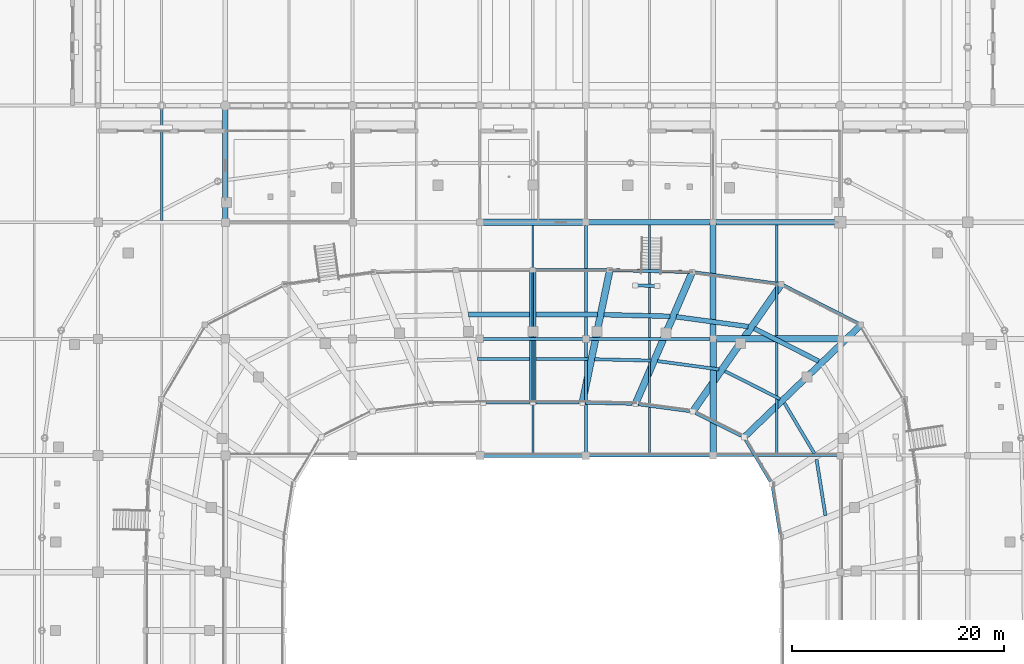
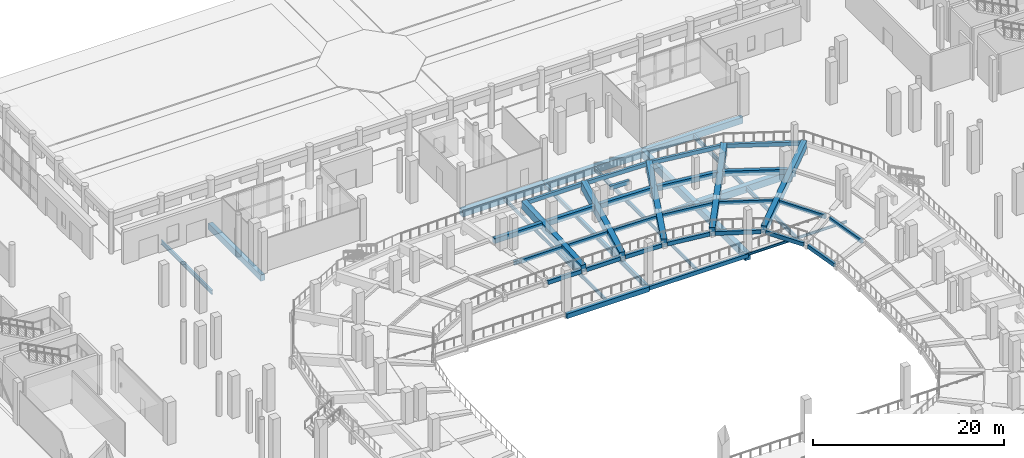
# One storey, part 26 of 120: 50 beams.
"""IFC4 building model written with IfcOpenShell, lengths in metres."""

import ifcopenshell
import ifcopenshell.guid

model = None  # the IFC model being written
_history = None  # IfcOwnerHistory: only IFC2X3 demands one
_inside = {}  # id of a spatial element -> (the spatial element, [elements in it])
_under = {}  # id of a project, library or spatial element -> (it, [spatial elements below it])
_declared = {}  # id of a project -> (the project, [libraries it declares])
_typed = {}  # id of a type object -> (the type object, [elements of that type])
_made_of = {}  # id of a material, layer set ... -> (it, [elements and type objects made of it])


def new_model(schema):
    """Start an empty IFC model of exactly this schema.

    Asked for "IFC4X3", IfcOpenShell would pick the latest addendum, in which some entities
    have other attributes; the version numbers below select the first issue.
    IFC2X3 requires an IfcOwnerHistory on every rooted entity: one is made here for all.
    """
    global model, _history
    if schema == "IFC4X3":
        model = ifcopenshell.file(schema_version=(4, 3, 0, 0))
    else:
        model = ifcopenshell.file(schema=schema)
    _inside.clear()
    _under.clear()
    _declared.clear()
    _typed.clear()
    _made_of.clear()
    _history = None
    if model.schema == "IFC2X3":
        org = make("IfcOrganization", Name="unknown")
        user = make(
            "IfcPersonAndOrganization",
            ThePerson=make("IfcPerson", FamilyName="unknown"),
            TheOrganization=org,
        )
        app = make(
            "IfcApplication",
            ApplicationDeveloper=org,
            Version="unknown",
            ApplicationFullName="unknown",
            ApplicationIdentifier="unknown",
        )
        _history = make(
            "IfcOwnerHistory",
            OwningUser=user,
            OwningApplication=app,
            ChangeAction="ADDED",
            CreationDate=0,
        )
    return model


def make(cls, **values):
    """One entity of the class cls with the attributes given. An attribute that is None is left unset."""
    return model.create_entity(
        cls, **{name: value for name, value in values.items() if value is not None}
    )


def rooted(cls, **values):
    """An entity with a GlobalId (a new one), such as an element, a storey or a relation."""
    return make(cls, GlobalId=ifcopenshell.guid.new(), OwnerHistory=_history, **values)


def si_unit(unit_type, name, prefix=None):
    """IfcSIUnit, for example si_unit("LENGTHUNIT", "METRE", prefix="MILLI")."""
    return make("IfcSIUnit", UnitType=unit_type, Prefix=prefix, Name=name)


def assignment(units):
    """IfcUnitAssignment: the units of a project."""
    return None if units is None else make("IfcUnitAssignment", Units=units)


def point(xyz):
    """IfcCartesianPoint."""
    return None if xyz is None else make("IfcCartesianPoint", Coordinates=xyz)


def direction(xyz):
    """IfcDirection."""
    return None if xyz is None else make("IfcDirection", DirectionRatios=xyz)


def frame(location, z_axis=None, x_axis=None):
    """IfcAxis2Placement3D, a coordinate frame: its origin and axes. An axis left out is left unset."""
    return make(
        "IfcAxis2Placement3D",
        Location=point(location),
        Axis=direction(z_axis),
        RefDirection=direction(x_axis),
    )


def frame_2d(location, x_axis=None):
    """IfcAxis2Placement2D, a coordinate frame in the plane: its origin and x axis."""
    return make(
        "IfcAxis2Placement2D", Location=point(location), RefDirection=direction(x_axis)
    )


def origin():
    """The frame at (0, 0, 0) with its axes left unset."""
    return frame((0.0, 0.0, 0.0))


def origin_2d():
    """The frame at (0, 0) in the plane with its x axis left unset."""
    return frame_2d((0.0, 0.0))


def place(relative_to, where):
    """IfcLocalPlacement: puts the frame where relative to a parent placement (None: the world)."""
    return make(
        "IfcLocalPlacement", PlacementRelTo=relative_to, RelativePlacement=where
    )


def context(
    kind, dimensions, precision=None, world=None, true_north=None, identifier=None
):
    """IfcGeometricRepresentationContext, for example the 3D "Model" context."""
    return make(
        "IfcGeometricRepresentationContext",
        ContextIdentifier=identifier,
        ContextType=kind,
        CoordinateSpaceDimension=dimensions,
        Precision=precision,
        WorldCoordinateSystem=world,
        TrueNorth=true_north,
    )


def subcontext(parent, identifier, kind, view, scale=None):
    """IfcGeometricRepresentationSubContext, for example "Body" below "Model"."""
    return make(
        "IfcGeometricRepresentationSubContext",
        ContextIdentifier=identifier,
        ContextType=kind,
        ParentContext=parent,
        TargetScale=scale,
        TargetView=view,
    )


def project(units=None, contexts=None):
    """IfcProject with its units and contexts."""
    return rooted(
        "IfcProject",
        Name="project",
        RepresentationContexts=contexts,
        UnitsInContext=assignment(units),
    )


def spatial(cls, under=None, at=None, **own):
    """A site, building, storey or space (cls), placed at a placement, below another one or the project."""
    s = rooted(cls, ObjectPlacement=at, **own)
    if under is not None:
        _under.setdefault(under.id(), (under, []))[1].append(s)
    return s


def profile(cls, at=None, kind="AREA", **sizes):
    """A parametric profile (cls). Its sizes go by their IFC names, for example OverallWidth=200.0."""
    return make(cls, ProfileType=kind, Position=at, **sizes)


def rectangle(**sizes):
    """IfcRectangleProfileDef."""
    return profile("IfcRectangleProfileDef", **sizes)


def hollow_rectangle(**sizes):
    """IfcRectangleHollowProfileDef."""
    return profile("IfcRectangleHollowProfileDef", **sizes)


def i_section(**sizes):
    """IfcIShapeProfileDef."""
    return profile("IfcIShapeProfileDef", **sizes)


def extrude(swept, where, along, depth):
    """IfcExtrudedAreaSolid: the profile swept, set in the frame where, extruded along a direction by depth."""
    return make(
        "IfcExtrudedAreaSolid",
        SweptArea=swept,
        Position=where,
        ExtrudedDirection=direction(along),
        Depth=depth,
    )


def shape(context_of_items, identifier, shape_type, items):
    """IfcShapeRepresentation: the items that make up one representation, for example the "Body"."""
    return make(
        "IfcShapeRepresentation",
        ContextOfItems=context_of_items,
        RepresentationIdentifier=identifier,
        RepresentationType=shape_type,
        Items=items,
    )


def material(Name=None, Category=None):
    """IfcMaterial."""
    return make("IfcMaterial", Name=Name, Category=Category)


def material_profile(
    of_material, cross_section, Name=None, Category=None, Priority=None
):
    """IfcMaterialProfile: a cross section and its material."""
    return make(
        "IfcMaterialProfile",
        Name=Name,
        Material=of_material,
        Profile=cross_section,
        Priority=Priority,
        Category=Category,
    )


def profile_set(profiles, Name=None, composite=None):
    """IfcMaterialProfileSet."""
    return make(
        "IfcMaterialProfileSet",
        Name=Name,
        MaterialProfiles=profiles,
        CompositeProfile=composite,
    )


def made_of(thing, what):
    """Note that an element or type object is made of a material, layer set ...; save() writes the relation."""
    if what is not None:
        _made_of.setdefault(what.id(), (what, []))[1].append(thing)
    return thing


def type_object(cls, material=None, **own):
    """A type object (cls), such as IfcWallType, which elements share."""
    return made_of(rooted(cls, **own), material)


def element(
    cls,
    number,
    at=None,
    inside=None,
    cuts=None,
    type_object=None,
    material=None,
    context=None,
    identifier="Body",
    shape_type=None,
    held_by="IfcProductDefinitionShape",
    body=None,
    shapes=None,
    **own,
):
    """One element of the class cls, such as IfcWall. Its Tag is "e" and its number.

    at: its placement. inside: the storey or other place that contains it. cuts: it is an
    opening in that element (IfcRelVoidsElement). A single representation is given by context,
    identifier, shape_type and body (its items); several are given by shapes. held_by: the class
    of the entity that holds the representations. save() writes the other relations.
    """
    e = rooted(cls, Tag="e%d" % number, ObjectPlacement=at, **own)
    if body is not None:
        shapes = [shape(context, identifier, shape_type, body)]
    if shapes is not None:
        e.Representation = make(held_by, Representations=shapes)
    if inside is not None:
        _inside.setdefault(inside.id(), (inside, []))[1].append(e)
    if cuts is not None:
        rooted(
            "IfcRelVoidsElement", RelatingBuildingElement=cuts, RelatedOpeningElement=e
        )
    if type_object is not None:
        _typed.setdefault(type_object.id(), (type_object, []))[1].append(e)
    return made_of(e, material)


def aggregate(whole, parts):
    """IfcRelAggregates: a whole, such as a stair, and the parts it consists of."""
    return rooted("IfcRelAggregates", RelatingObject=whole, RelatedObjects=parts)


def save(model, path):
    """Write the relations noted so far, then the file.

    IfcRelAggregates (storeys below a building ...), IfcRelContainedInSpatialStructure (elements
    in a storey), IfcRelDefinesByType, IfcRelAssociatesMaterial and IfcRelDeclares: one each for
    every whole, place, type object, material and project.
    """
    for whole, parts in _under.values():
        aggregate(whole, parts)
    for where, things in _inside.values():
        rooted(
            "IfcRelContainedInSpatialStructure",
            RelatedElements=things,
            RelatingStructure=where,
        )
    for kind, things in _typed.values():
        rooted("IfcRelDefinesByType", RelatedObjects=things, RelatingType=kind)
    for what, things in _made_of.values():
        rooted("IfcRelAssociatesMaterial", RelatedObjects=things, RelatingMaterial=what)
    for by, libraries in _declared.values():
        rooted("IfcRelDeclares", RelatingContext=by, RelatedDefinitions=libraries)
    model.write(path)


model = new_model("IFC4")

# Units and contexts
model_context = context("Model", 3, precision=1e-05, world=origin(), true_north=direction((0.0, 1.0)))
body_context = subcontext(model_context, "Body", "Model", "MODEL_VIEW")
ifc_project = project(units=[si_unit("LENGTHUNIT", "METRE"), si_unit("AREAUNIT", "SQUARE_METRE"), si_unit("VOLUMEUNIT", "CUBIC_METRE"), si_unit("PLANEANGLEUNIT", "RADIAN"), si_unit("MASSUNIT", "GRAM", prefix="KILO")], contexts=[model_context])

# Site, building, storey
site_placement = place(None, origin())
site = spatial("IfcSite", under=ifc_project, at=site_placement, CompositionType="ELEMENT")
building_placement = place(site_placement, origin())
building = spatial("IfcBuilding", under=site, at=building_placement, Name="Luwafu Chhajja Arena", CompositionType="ELEMENT")
storey_placement = place(building_placement, origin())
storey = spatial("IfcBuildingStorey", under=building, at=storey_placement, Name="L00", CompositionType="ELEMENT", Elevation=0.0)

# Beams
ifc_material_1 = material(Name="Precast concrete C40/50", Category="concrete")
ifc_material_profile_1 = material_profile(ifc_material_1, rectangle(XDim=0.449951171875, YDim=0.64990234375, at=origin_2d()), Name="RC 450x650")
ifc_profile_set_1 = profile_set([ifc_material_profile_1], Name="Precast concrete C40/50")
beam_type_1 = type_object("IfcBeamType", Name="Bowl Tier Ring Beam RC 450x650", PredefinedType="BEAM", material=ifc_profile_set_1)
beam_1_placement = place(storey_placement, frame((125.944580078125, 74.904541015625, 1.304931640625), z_axis=(-0.891546916396, 0.452928356216, 0.0), x_axis=(-0.452928356216, -0.891546916396, 0.0)))
element("IfcBeam", 1, at=beam_1_placement, inside=storey, type_object=beam_type_1, Name="Lower Tier Ring Beam S05-B3", PredefinedType="BEAM", context=body_context, shape_type="SweptSolid", body=[
    extrude(rectangle(XDim=0.449951171875, YDim=0.64990234375, at=origin_2d()), origin(), (0.0, 0.0, 1.0), 6.807373046875),
])
beam_2_placement = place(storey_placement, frame((119.301513671875, 78.1669921875, 1.304931640625), z_axis=(-0.990929994437, 0.134379113429, 0.0), x_axis=(-0.134379113429, -0.990929994437, 0.0)))
element("IfcBeam", 2, at=beam_2_placement, inside=storey, type_object=beam_type_1, Name="Lower Tier Ring Beam S06-B3", PredefinedType="BEAM", context=body_context, shape_type="SweptSolid", body=[
    extrude(rectangle(XDim=0.449951171875, YDim=0.64990234375, at=origin_2d()), origin(), (0.0, 0.0, 1.0), 6.842041015625),
])
beam_3_placement = place(storey_placement, frame((111.914306640625, 79.134765625, 1.304931640625), z_axis=(-0.999710285988, 0.024069567704, 0.0), x_axis=(-0.024069567704, -0.999710285988, 0.0)))
element("IfcBeam", 3, at=beam_3_placement, inside=storey, type_object=beam_type_1, Name="Lower Tier Ring Beam S07-B3", PredefinedType="BEAM", context=body_context, shape_type="SweptSolid", body=[
    extrude(rectangle(XDim=0.449951171875, YDim=0.64990234375, at=origin_2d()), origin(), (0.0, 0.0, 1.0), 6.227783203125),
])
for number, where, z_axis, x_axis, name in (
    (4, (105.078369140625, 79.29248046875, 1.304931640625), (-0.999999248071, 0.001226318428, 0.0), (-0.001226318428, -0.999999248071, 0.0), "Lower Tier Ring Beam S08-B3"),
    (5, (98.695068359375, 79.299560546875, 1.304931640625), (-0.999999248071, -0.001226318428, 0.0), (0.001226318428, -0.999999248071, 0.0), "Lower Tier Ring Beam S09-B3"),
):
    element("IfcBeam", number, at=place(storey_placement, frame(where, z_axis=z_axis, x_axis=x_axis)), inside=storey, type_object=beam_type_1, Name=name, PredefinedType="BEAM", context=body_context, shape_type="SweptSolid", body=[
        extrude(rectangle(XDim=0.449951171875, YDim=0.64990234375, at=origin_2d()), origin(), (0.0, 0.0, 1.0), 5.7734375),
    ])
ifc_material_2 = material(Name="Steel S355", Category="steel")
ifc_material_profile_2 = material_profile(ifc_material_2, i_section(OverallWidth=0.165771484375, OverallDepth=0.306640625, WebThickness=0.006591796875, FlangeThickness=0.01171875, at=origin_2d()), Name="UB 305x165x46")
ifc_profile_set_2 = profile_set([ifc_material_profile_2], Name="Steel S355")
beam_type_2 = type_object("IfcBeamType", Name="Concourse Edge Spandrel Beam UB 305x165x46", PredefinedType="SPANDREL", material=ifc_profile_set_2)
beam_4_placement = place(storey_placement, frame((116.0, 66.0, -0.50341796875), z_axis=(1.0, 0.0, 0.0), x_axis=(0.0, 1.0, 0.0)))
element("IfcBeam", 6, at=beam_4_placement, inside=storey, type_object=beam_type_2, Name="L00 Grid Beam 11-12/G", PredefinedType="SPANDREL", context=body_context, shape_type="SweptSolid", body=[
    extrude(i_section(OverallWidth=0.165771484375, OverallDepth=0.306640625, WebThickness=0.006591796875, FlangeThickness=0.01171875, at=origin_2d()), origin(), (0.0, 0.0, 1.0), 12.0),
])
ifc_material_3 = material(Name="Concrete C35/45", Category="concrete")
ifc_material_profile_3 = material_profile(ifc_material_3, rectangle(XDim=0.60009765625, YDim=0.89990234375, at=origin_2d()), Name="RC 600x900")
ifc_profile_set_3 = profile_set([ifc_material_profile_3], Name="Concrete C35/45")
beam_type_3 = type_object("IfcBeamType", Name="Concourse Primary Girder RC 600x900", PredefinedType="BEAM", material=ifc_profile_set_3)
beam_5_placement = place(storey_placement, frame((94.0, 88.0, -0.800048828125), z_axis=(1.0, 0.0, 0.0), x_axis=(0.0, 1.0, 0.0)))
element("IfcBeam", 7, at=beam_5_placement, inside=storey, type_object=beam_type_3, Name="L00 Grid Beam 9-10/J", PredefinedType="BEAM", context=body_context, shape_type="SweptSolid", body=[
    extrude(rectangle(XDim=0.60009765625, YDim=0.89990234375, at=origin_2d()), origin(), (0.0, 0.0, 1.0), 10.0),
])
beam_6_placement = place(storey_placement, frame((116.0, 77.0, -0.800048828125), z_axis=(1.0, 0.0, 0.0), x_axis=(0.0, 1.0, 0.0)))
element("IfcBeam", 8, at=beam_6_placement, inside=storey, type_object=beam_type_3, Name="L00 Grid Beam 11-12/H", PredefinedType="BEAM", context=body_context, shape_type="SweptSolid", body=[
    extrude(rectangle(XDim=0.60009765625, YDim=0.89990234375, at=origin_2d()), origin(), (0.0, 0.0, 1.0), 12.0),
])
beam_7_placement = place(storey_placement, frame((116.0, 66.0, -0.800048828125), z_axis=(0.0, 1.0, 0.0), x_axis=(-1.0, 0.0, 0.0)))
element("IfcBeam", 9, at=beam_7_placement, inside=storey, type_object=beam_type_3, Name="L00 Grid Beam 11/G-H", PredefinedType="BEAM", context=body_context, shape_type="SweptSolid", body=[
    extrude(rectangle(XDim=0.60009765625, YDim=0.89990234375, at=origin_2d()), origin(), (0.0, 0.0, 1.0), 11.0),
])
ifc_material_profile_4 = material_profile(ifc_material_3, rectangle(XDim=0.550048828125, YDim=0.949951171875, at=origin_2d()), Name="RC 550x950")
ifc_profile_set_4 = profile_set([ifc_material_profile_4], Name="Concrete C35/45")
beam_type_4 = type_object("IfcBeamType", Name="Concourse Radial Girder RC 550x950", PredefinedType="BEAM", material=ifc_profile_set_4)
beam_8_placement = place(storey_placement, frame((104.0, 88.0, -0.824951171875), z_axis=(1.0, 0.0, 0.0), x_axis=(0.0, 1.0, 0.0)))
element("IfcBeam", 10, at=beam_8_placement, inside=storey, type_object=beam_type_4, Name="L00 Grid Beam 10-11/J", PredefinedType="BEAM", context=body_context, shape_type="SweptSolid", body=[
    extrude(rectangle(XDim=0.550048828125, YDim=0.949951171875, at=origin_2d()), origin(), (0.0, 0.0, 1.0), 12.0),
])
beam_9_placement = place(storey_placement, frame((116.0, 77.0, -0.824951171875), z_axis=(0.0, 1.0, 0.0), x_axis=(-1.0, 0.0, 0.0)))
element("IfcBeam", 11, at=beam_9_placement, inside=storey, type_object=beam_type_4, Name="L00 Grid Beam 11/H-J", PredefinedType="BEAM", context=body_context, shape_type="SweptSolid", body=[
    extrude(rectangle(XDim=0.550048828125, YDim=0.949951171875, at=origin_2d()), origin(), (0.0, 0.0, 1.0), 11.0),
])
ifc_material_profile_5 = material_profile(ifc_material_2, i_section(OverallWidth=0.15283203125, OverallDepth=0.45458984375, WebThickness=0.008056640625, FlangeThickness=0.01318359375, at=origin_2d()), Name="UB 457x152x60")
ifc_profile_set_5 = profile_set([ifc_material_profile_5], Name="Steel S355")
beam_type_5 = type_object("IfcBeamType", Name="Floor Joist UB 457x152x60", PredefinedType="JOIST", material=ifc_profile_set_5)
beam_10_placement = place(storey_placement, frame((99.0, 77.14990234375, -0.577392578125), z_axis=(0.0, 1.0, 0.0), x_axis=(-1.0, 0.0, 0.0)))
element("IfcBeam", 12, at=beam_10_placement, inside=storey, type_object=beam_type_5, Name="L00 Secondary Joist 9-10/H", PredefinedType="JOIST", context=body_context, shape_type="SweptSolid", body=[
    extrude(i_section(OverallWidth=0.15283203125, OverallDepth=0.45458984375, WebThickness=0.008056640625, FlangeThickness=0.01318359375, at=origin_2d()), origin(), (0.0, 0.0, 1.0), 10.550048828125),
])
beam_11_placement = place(storey_placement, frame((110.0, 66.14990234375, -0.577392578125), z_axis=(0.0, 1.0, 0.0), x_axis=(-1.0, 0.0, 0.0)))
element("IfcBeam", 13, at=beam_11_placement, inside=storey, type_object=beam_type_5, Name="L00 Secondary Joist 10-11/G", PredefinedType="JOIST", context=body_context, shape_type="SweptSolid", body=[
    extrude(i_section(OverallWidth=0.15283203125, OverallDepth=0.45458984375, WebThickness=0.008056640625, FlangeThickness=0.01318359375, at=origin_2d()), origin(), (0.0, 0.0, 1.0), 10.7001953125),
])
ifc_material_profile_6 = material_profile(ifc_material_2, i_section(OverallWidth=0.19140625, OverallDepth=0.4599609375, WebThickness=0.010009765625, FlangeThickness=0.01611328125, at=origin_2d()), Name="UB 457x191x82")
ifc_profile_set_6 = profile_set([ifc_material_profile_6], Name="Steel S355")
beam_type_6 = type_object("IfcBeamType", Name="Floor Joist UB 457x191x82", PredefinedType="JOIST", material=ifc_profile_set_6)
beam_12_placement = place(storey_placement, frame((99.0, 66.199951171875, -0.580078125), z_axis=(0.0, 1.0, 0.0), x_axis=(-1.0, 0.0, 0.0)))
element("IfcBeam", 14, at=beam_12_placement, inside=storey, type_object=beam_type_6, Name="L00 Secondary Joist 9-10/G", PredefinedType="JOIST", context=body_context, shape_type="SweptSolid", body=[
    extrude(i_section(OverallWidth=0.19140625, OverallDepth=0.4599609375, WebThickness=0.010009765625, FlangeThickness=0.01611328125, at=origin_2d()), origin(), (0.0, 0.0, 1.0), 10.650146484375),
])
ifc_material_profile_7 = material_profile(ifc_material_2, i_section(OverallWidth=0.2099609375, OverallDepth=0.53662109375, WebThickness=0.0107421875, FlangeThickness=0.017333984375, at=origin_2d()), Name="UB 533x210x101")
ifc_profile_set_7 = profile_set([ifc_material_profile_7], Name="Steel S355")
beam_type_7 = type_object("IfcBeamType", Name="Floor Joist UB 533x210x101", PredefinedType="JOIST", material=ifc_profile_set_7)
beam_13_placement = place(storey_placement, frame((110.0, 77.14990234375, -0.618408203125), z_axis=(0.0, 1.0, 0.0), x_axis=(-1.0, 0.0, 0.0)))
element("IfcBeam", 15, at=beam_13_placement, inside=storey, type_object=beam_type_7, Name="L00 Secondary Joist 10-11/H", PredefinedType="JOIST", context=body_context, shape_type="SweptSolid", body=[
    extrude(i_section(OverallWidth=0.2099609375, OverallDepth=0.53662109375, WebThickness=0.0107421875, FlangeThickness=0.017333984375, at=origin_2d()), origin(), (0.0, 0.0, 1.0), 10.5751953125),
])
beam_14_placement = place(storey_placement, frame((122.0, 66.082763671875, -0.618408203125), z_axis=(0.0, 1.0, 0.0), x_axis=(-1.0, 0.0, 0.0)))
element("IfcBeam", 16, at=beam_14_placement, inside=storey, type_object=beam_type_7, Name="L00 Secondary Joist 11-12/G", PredefinedType="JOIST", context=body_context, shape_type="SweptSolid", body=[
    extrude(i_section(OverallWidth=0.2099609375, OverallDepth=0.53662109375, WebThickness=0.0107421875, FlangeThickness=0.017333984375, at=origin_2d()), origin(), (0.0, 0.0, 1.0), 10.6171875),
])
ifc_material_profile_8 = material_profile(ifc_material_2, i_section(OverallWidth=0.209228515625, OverallDepth=0.533203125, WebThickness=0.010009765625, FlangeThickness=0.015625, at=origin_2d()), Name="UB 533x210x92")
ifc_profile_set_8 = profile_set([ifc_material_profile_8], Name="Steel S355")
beam_type_8 = type_object("IfcBeamType", Name="Floor Joist UB 533x210x92", PredefinedType="JOIST", material=ifc_profile_set_8)
beam_15_placement = place(storey_placement, frame((64.0, 88.14990234375, -0.616455078125), z_axis=(0.0, 1.0, 0.0), x_axis=(-1.0, 0.0, 0.0)))
element("IfcBeam", 17, at=beam_15_placement, inside=storey, type_object=beam_type_8, Name="L00 Secondary Joist 6-7/J", PredefinedType="JOIST", context=body_context, shape_type="SweptSolid", body=[
    extrude(i_section(OverallWidth=0.209228515625, OverallDepth=0.533203125, WebThickness=0.010009765625, FlangeThickness=0.015625, at=origin_2d()), origin(), (0.0, 0.0, 1.0), 10.7001953125),
])
beam_16_placement = place(storey_placement, frame((122.0, 77.300048828125, -0.616455078125), z_axis=(0.0, 1.0, 0.0), x_axis=(-1.0, 0.0, 0.0)))
element("IfcBeam", 18, at=beam_16_placement, inside=storey, type_object=beam_type_8, Name="L00 Secondary Joist 11-12/H", PredefinedType="JOIST", context=body_context, shape_type="SweptSolid", body=[
    extrude(i_section(OverallWidth=0.209228515625, OverallDepth=0.533203125, WebThickness=0.010009765625, FlangeThickness=0.015625, at=origin_2d()), origin(), (0.0, 0.0, 1.0), 10.449951171875),
])
ifc_material_profile_9 = material_profile(ifc_material_3, rectangle(XDim=0.5, YDim=0.800048828125, at=origin_2d()), Name="RC 500x800")
ifc_profile_set_9 = profile_set([ifc_material_profile_9], Name="Concrete C35/45")
beam_type_9 = type_object("IfcBeamType", Name="Hospitality Primary Beam RC 500x800", PredefinedType="BEAM", material=ifc_profile_set_9)
beam_17_placement = place(storey_placement, frame((116.0, 88.0, -0.75), z_axis=(1.0, 0.0, 0.0), x_axis=(0.0, 1.0, 0.0)))
element("IfcBeam", 19, at=beam_17_placement, inside=storey, type_object=beam_type_9, Name="L00 Grid Beam 11-12/J", PredefinedType="BEAM", context=body_context, shape_type="SweptSolid", body=[
    extrude(rectangle(XDim=0.5, YDim=0.800048828125, at=origin_2d()), origin(), (0.0, 0.0, 1.0), 12.0),
])
beam_18_placement = place(storey_placement, frame((70.0, 88.0, -0.75), z_axis=(0.0, 1.0, 0.0), x_axis=(-1.0, 0.0, 0.0)))
element("IfcBeam", 20, at=beam_18_placement, inside=storey, type_object=beam_type_9, Name="L00 Grid Beam 7/J-K", PredefinedType="BEAM", context=body_context, shape_type="SweptSolid", body=[
    extrude(rectangle(XDim=0.5, YDim=0.800048828125, at=origin_2d()), origin(), (0.0, 0.0, 1.0), 11.0),
])
ifc_material_profile_10 = material_profile(ifc_material_2, hollow_rectangle(XDim=0.300048828125, YDim=0.5, WallThickness=0.02001953125, at=origin_2d()), Name="RHS 500x300x20")
ifc_profile_set_10 = profile_set([ifc_material_profile_10], Name="Steel S355")
beam_type_10 = type_object("IfcBeamType", Name="Pleated Drum Spandrel Beam RHS 500x300", PredefinedType="SPANDREL", material=ifc_profile_set_10)
beam_19_placement = place(storey_placement, frame((104.0, 66.0, -0.60009765625), z_axis=(1.0, 0.0, 0.0), x_axis=(0.0, 1.0, 0.0)))
element("IfcBeam", 21, at=beam_19_placement, inside=storey, type_object=beam_type_10, Name="L00 Grid Beam 10-11/G", PredefinedType="SPANDREL", context=body_context, shape_type="SweptSolid", body=[
    extrude(hollow_rectangle(XDim=0.300048828125, YDim=0.5, WallThickness=0.02001953125, at=origin_2d()), origin(), (0.0, 0.0, 1.0), 12.0),
])
ifc_material_profile_11 = material_profile(ifc_material_3, rectangle(XDim=0.39990234375, YDim=0.60009765625, at=origin_2d()), Name="RC 400x600")
ifc_profile_set_11 = profile_set([ifc_material_profile_11], Name="Concrete C35/45")
beam_type_11 = type_object("IfcBeamType", Name="Podium Perimeter Spandrel RC 400x600", PredefinedType="SPANDREL", material=ifc_profile_set_11)
beam_20_placement = place(storey_placement, frame((94.0, 66.0, -0.64990234375), z_axis=(1.0, 0.0, 0.0), x_axis=(0.0, 1.0, 0.0)))
element("IfcBeam", 22, at=beam_20_placement, inside=storey, type_object=beam_type_11, Name="L00 Grid Beam 9-10/G", PredefinedType="SPANDREL", context=body_context, shape_type="SweptSolid", body=[
    extrude(rectangle(XDim=0.39990234375, YDim=0.60009765625, at=origin_2d()), origin(), (0.0, 0.0, 1.0), 10.0),
])
ifc_material_4 = material(Name="Precast concrete C45/55", Category="concrete")
ifc_material_profile_12 = material_profile(ifc_material_4, rectangle(XDim=0.60009765625, YDim=1.0, at=origin_2d()), Name="PC 600x1000")
ifc_profile_set_12 = profile_set([ifc_material_profile_12], Name="Precast concrete C45/55")
beam_type_12 = type_object("IfcBeamType", Name="Precast Corner Bowl Raker PC 600x1000", PredefinedType="USERDEFINED", material=ifc_profile_set_12)
beam_21_placement = place(storey_placement, frame((118.9248046875, 67.72900390625, 0.580078125), z_axis=(0.720075668487, 0.692387198367, 0.045727444604), x_axis=(-0.693112226125, 0.720829690007, 0.0)))
element("IfcBeam", 23, at=beam_21_placement, inside=storey, type_object=beam_type_12, Name="Lower Bowl Raker RKR-L05", ObjectType="RAKER", PredefinedType="USERDEFINED", context=body_context, shape_type="SweptSolid", body=[
    extrude(rectangle(XDim=0.60009765625, YDim=1.0, at=origin_2d()), origin(), (0.0, 0.0, 1.0), 15.30712890625),
])
beam_22_placement = place(storey_placement, frame((99.0, 71.0, 0.580078125), z_axis=(0.0, 0.998435896042, 0.055908510038), x_axis=(-1.0, 0.0, 0.0)))
element("IfcBeam", 24, at=beam_22_placement, inside=storey, type_object=beam_type_12, Name="Lower Bowl Raker RKR-L09", ObjectType="RAKER", PredefinedType="USERDEFINED", context=body_context, shape_type="SweptSolid", body=[
    extrude(rectangle(XDim=0.60009765625, YDim=1.0, at=origin_2d()), origin(), (0.0, 0.0, 1.0), 12.51953125),
])
ifc_material_profile_13 = material_profile(ifc_material_4, rectangle(XDim=0.64990234375, YDim=1.10009765625, at=origin_2d()), Name="PC 650x1100")
ifc_profile_set_13 = profile_set([ifc_material_profile_13], Name="Precast concrete C45/55")
beam_type_13 = type_object("IfcBeamType", Name="Precast Lower Bowl Raker PC 650x1100", PredefinedType="USERDEFINED", material=ifc_profile_set_13)
beam_23_placement = place(storey_placement, frame((114.08349609375, 70.153076171875, 0.530029296875), z_axis=(0.570003729525, 0.820249676085, 0.047814403785), x_axis=(-0.821188921344, 0.570656425059, 0.0)))
element("IfcBeam", 25, at=beam_23_placement, inside=storey, type_object=beam_type_13, Name="Lower Bowl Raker RKR-L06", ObjectType="RAKER", PredefinedType="USERDEFINED", context=body_context, shape_type="SweptSolid", body=[
    extrude(rectangle(XDim=0.64990234375, YDim=1.10009765625, at=origin_2d()), origin(), (0.0, 0.0, 1.0), 14.638916015625),
])
beam_24_placement = place(storey_placement, frame((108.677734375, 70.87548828125, 0.530029296875), z_axis=(0.395097554178, 0.917185602785, 0.051657455665), x_axis=(-0.918411808978, 0.395625769041, 0.0)))
element("IfcBeam", 26, at=beam_24_placement, inside=storey, type_object=beam_type_13, Name="Lower Bowl Raker RKR-L07", ObjectType="RAKER", PredefinedType="USERDEFINED", context=body_context, shape_type="SweptSolid", body=[
    extrude(rectangle(XDim=0.64990234375, YDim=1.10009765625, at=origin_2d()), origin(), (0.0, 0.0, 1.0), 13.5498046875),
])
beam_25_placement = place(storey_placement, frame((103.673095703125, 70.994140625, 0.530029296875), z_axis=(0.20227940935, 0.97779524478, 0.054767689735), x_axis=(-0.979265000346, 0.202583462053, 0.0)))
element("IfcBeam", 27, at=beam_25_placement, inside=storey, type_object=beam_type_13, Name="Lower Bowl Raker RKR-L08", ObjectType="RAKER", PredefinedType="USERDEFINED", context=body_context, shape_type="SweptSolid", body=[
    extrude(rectangle(XDim=0.64990234375, YDim=1.10009765625, at=origin_2d()), origin(), (0.0, 0.0, 1.0), 12.7802734375),
])
ifc_material_profile_14 = material_profile(ifc_material_2, i_section(OverallWidth=0.300048828125, OverallDepth=0.5, WebThickness=0.014404296875, FlangeThickness=0.028076171875, at=origin_2d()), Name="HEB 500")
ifc_profile_set_14 = profile_set([ifc_material_profile_14], Name="Steel S355")
beam_type_14 = type_object("IfcBeamType", Name="Steel Atrium Tie Girder HEB 500", PredefinedType="BEAM", material=ifc_profile_set_14)
beam_26_placement = place(storey_placement, frame((94.0, 77.0, -0.60009765625), z_axis=(1.0, 0.0, 0.0), x_axis=(0.0, 1.0, 0.0)))
element("IfcBeam", 28, at=beam_26_placement, inside=storey, type_object=beam_type_14, Name="L00 Grid Beam 9-10/H", PredefinedType="BEAM", context=body_context, shape_type="SweptSolid", body=[
    extrude(i_section(OverallWidth=0.300048828125, OverallDepth=0.5, WebThickness=0.014404296875, FlangeThickness=0.028076171875, at=origin_2d()), origin(), (0.0, 0.0, 1.0), 10.0),
])
beam_27_placement = place(storey_placement, frame((104.0, 77.0, -0.60009765625), z_axis=(0.0, 1.0, 0.0), x_axis=(-1.0, 0.0, 0.0)))
element("IfcBeam", 29, at=beam_27_placement, inside=storey, type_object=beam_type_14, Name="L00 Grid Beam 10/H-J", PredefinedType="BEAM", context=body_context, shape_type="SweptSolid", body=[
    extrude(i_section(OverallWidth=0.300048828125, OverallDepth=0.5, WebThickness=0.014404296875, FlangeThickness=0.028076171875, at=origin_2d()), origin(), (0.0, 0.0, 1.0), 11.0),
])
ifc_material_profile_15 = material_profile(ifc_material_2, i_section(OverallWidth=0.300048828125, OverallDepth=0.60009765625, WebThickness=0.015380859375, FlangeThickness=0.030029296875, at=origin_2d()), Name="HEB 600")
ifc_profile_set_15 = profile_set([ifc_material_profile_15], Name="Steel S355")
beam_type_15 = type_object("IfcBeamType", Name="Steel Gallery Girder HEB 600", PredefinedType="BEAM", material=ifc_profile_set_15)
beam_28_placement = place(storey_placement, frame((104.0, 66.0, -0.64990234375), z_axis=(0.0, 1.0, 0.0), x_axis=(-1.0, 0.0, 0.0)))
element("IfcBeam", 30, at=beam_28_placement, inside=storey, type_object=beam_type_15, Name="L00 Grid Beam 10/G-H", PredefinedType="BEAM", context=body_context, shape_type="SweptSolid", body=[
    extrude(i_section(OverallWidth=0.300048828125, OverallDepth=0.60009765625, WebThickness=0.015380859375, FlangeThickness=0.030029296875, at=origin_2d()), origin(), (0.0, 0.0, 1.0), 11.0),
])
ifc_material_profile_16 = material_profile(ifc_material_2, i_section(OverallWidth=0.300048828125, OverallDepth=0.39990234375, WebThickness=0.013427734375, FlangeThickness=0.02392578125, at=origin_2d()), Name="HEB 400")
ifc_profile_set_16 = profile_set([ifc_material_profile_16], Name="Steel S355")
beam_type_16 = type_object("IfcBeamType", Name="Steel Rigging Grid Beam HEB 400", PredefinedType="BEAM", material=ifc_profile_set_16)
beam_29_placement = place(storey_placement, frame((104.0, 77.0, -0.550048828125), z_axis=(1.0, 0.0, 0.0), x_axis=(0.0, 1.0, 0.0)))
element("IfcBeam", 31, at=beam_29_placement, inside=storey, type_object=beam_type_16, Name="L00 Grid Beam 10-11/H", PredefinedType="BEAM", context=body_context, shape_type="SweptSolid", body=[
    extrude(i_section(OverallWidth=0.300048828125, OverallDepth=0.39990234375, WebThickness=0.013427734375, FlangeThickness=0.02392578125, at=origin_2d()), origin(), (0.0, 0.0, 1.0), 12.0),
])
ifc_material_profile_17 = material_profile(ifc_material_1, rectangle(XDim=0.300048828125, YDim=0.5, at=origin_2d()), Name="RC 300x500")
ifc_profile_set_17 = profile_set([ifc_material_profile_17], Name="Precast concrete C40/50")
beam_type_17 = type_object("IfcBeamType", Name="Tier Support Beam RC 300x500", PredefinedType="BEAM", material=ifc_profile_set_17)
beam_30_placement = place(storey_placement, frame((122.31591796875, 58.6552734375, 0.3798828125), z_axis=(-0.157689589351, 0.987488730776, 0.0), x_axis=(-0.987488730776, -0.157689589351, 0.0)))
element("IfcBeam", 32, at=beam_30_placement, inside=storey, type_object=beam_type_17, Name="Lower Tier Ring Beam S03-B1", PredefinedType="BEAM", context=body_context, shape_type="SweptSolid", body=[
    extrude(rectangle(XDim=0.300048828125, YDim=0.5, at=origin_2d()), origin(), (0.0, 0.0, 1.0), 4.3984375),
])
beam_31_placement = place(storey_placement, frame((126.59130859375, 60.34375, 0.8798828125), z_axis=(-0.156672208584, 0.987650656385, 0.0), x_axis=(-0.987650656385, -0.156672208584, 0.0)))
element("IfcBeam", 33, at=beam_31_placement, inside=storey, type_object=beam_type_17, Name="Lower Tier Ring Beam S03-B2", PredefinedType="BEAM", context=body_context, shape_type="SweptSolid", body=[
    extrude(rectangle(XDim=0.300048828125, YDim=0.5, at=origin_2d()), origin(), (0.0, 0.0, 1.0), 5.352783203125),
])
beam_32_placement = place(storey_placement, frame((121.41748046875, 63.5615234375, 0.3798828125), z_axis=(-0.513319836425, 0.858197381453, 0.0), x_axis=(-0.858197381453, -0.513319836425, 0.0)))
element("IfcBeam", 34, at=beam_32_placement, inside=storey, type_object=beam_type_17, Name="Lower Tier Ring Beam S04-B1", PredefinedType="BEAM", context=body_context, shape_type="SweptSolid", body=[
    extrude(rectangle(XDim=0.300048828125, YDim=0.5, at=origin_2d()), origin(), (0.0, 0.0, 1.0), 4.551025390625),
])
beam_33_placement = place(storey_placement, frame((125.549072265625, 66.193603515625, 0.8798828125), z_axis=(-0.510904210023, 0.85963764935, 0.0), x_axis=(-0.85963764935, -0.510904210023, 0.0)))
element("IfcBeam", 35, at=beam_33_placement, inside=storey, type_object=beam_type_17, Name="Lower Tier Ring Beam S04-B2", PredefinedType="BEAM", context=body_context, shape_type="SweptSolid", body=[
    extrude(rectangle(XDim=0.300048828125, YDim=0.5, at=origin_2d()), origin(), (0.0, 0.0, 1.0), 5.52490234375),
])
beam_34_placement = place(storey_placement, frame((129.947021484375, 78.327392578125, 1.3798828125), z_axis=(-0.890911425489, 0.45417709314, 0.0), x_axis=(-0.45417709314, -0.890911425489, 0.0)))
element("IfcBeam", 36, at=beam_34_placement, inside=storey, type_object=beam_type_17, Name="Lower Tier Outer Ring Beam S05", PredefinedType="BEAM", context=body_context, shape_type="SweptSolid", body=[
    extrude(rectangle(XDim=0.300048828125, YDim=0.5, at=origin_2d()), origin(), (0.0, 0.0, 1.0), 8.43994140625),
])
beam_35_placement = place(storey_placement, frame((118.652099609375, 67.865478515625, 0.3798828125), z_axis=(-0.89416279035, 0.447742006466, 0.0), x_axis=(-0.447742006466, -0.89416279035, 0.0)))
element("IfcBeam", 37, at=beam_35_placement, inside=storey, type_object=beam_type_17, Name="Lower Tier Ring Beam S05-B1", PredefinedType="BEAM", context=body_context, shape_type="SweptSolid", body=[
    extrude(rectangle(XDim=0.300048828125, YDim=0.5, at=origin_2d()), origin(), (0.0, 0.0, 1.0), 4.804443359375),
])
beam_36_placement = place(storey_placement, frame((122.298095703125, 71.342529296875, 0.8798828125), z_axis=(-0.893009121174, 0.450038564459, 0.0), x_axis=(-0.450038564459, -0.893009121174, 0.0)))
element("IfcBeam", 38, at=beam_36_placement, inside=storey, type_object=beam_type_17, Name="Lower Tier Ring Beam S05-B2", PredefinedType="BEAM", context=body_context, shape_type="SweptSolid", body=[
    extrude(rectangle(XDim=0.300048828125, YDim=0.5, at=origin_2d()), origin(), (0.0, 0.0, 1.0), 5.802978515625),
])
beam_37_placement = place(storey_placement, frame((122.427734375, 82.16064453125, 1.3798828125), z_axis=(-0.990867998355, 0.134835491751, 0.0), x_axis=(-0.134835491751, -0.990867998355, 0.0)))
element("IfcBeam", 39, at=beam_37_placement, inside=storey, type_object=beam_type_17, Name="Lower Tier Outer Ring Beam S06", PredefinedType="BEAM", context=body_context, shape_type="SweptSolid", body=[
    extrude(rectangle(XDim=0.300048828125, YDim=0.5, at=origin_2d()), origin(), (0.0, 0.0, 1.0), 8.473876953125),
])
beam_38_placement = place(storey_placement, frame((113.78125, 70.193359375, 0.3798828125), z_axis=(-0.991182503629, 0.132503752773, 0.0), x_axis=(-0.132503752773, -0.991182503629, 0.0)))
element("IfcBeam", 40, at=beam_38_placement, inside=storey, type_object=beam_type_17, Name="Lower Tier Ring Beam S06-B1", PredefinedType="BEAM", context=body_context, shape_type="SweptSolid", body=[
    extrude(rectangle(XDim=0.300048828125, YDim=0.5, at=origin_2d()), origin(), (0.0, 0.0, 1.0), 4.843994140625),
])
beam_39_placement = place(storey_placement, frame((116.541259765625, 74.132080078125, 0.8798828125), z_axis=(-0.991070646103, 0.133337820715, 0.0), x_axis=(-0.133337820715, -0.991070646103, 0.0)))
element("IfcBeam", 41, at=beam_39_placement, inside=storey, type_object=beam_type_17, Name="Lower Tier Ring Beam S06-B2", PredefinedType="BEAM", context=body_context, shape_type="SweptSolid", body=[
    extrude(rectangle(XDim=0.300048828125, YDim=0.5, at=origin_2d()), origin(), (0.0, 0.0, 1.0), 5.8427734375),
])
beam_40_placement = place(storey_placement, frame((114.03125, 83.30322265625, 1.3798828125), z_axis=(-0.999709188612, 0.024115103237, 0.0), x_axis=(-0.024115103237, -0.999709188612, 0.0)))
element("IfcBeam", 42, at=beam_40_placement, inside=storey, type_object=beam_type_17, Name="Lower Tier Outer Ring Beam S07", PredefinedType="BEAM", context=body_context, shape_type="SweptSolid", body=[
    extrude(rectangle(XDim=0.300048828125, YDim=0.5, at=origin_2d()), origin(), (0.0, 0.0, 1.0), 7.775146484375),
])
beam_41_placement = place(storey_placement, frame((108.372802734375, 70.8828125, 0.3798828125), z_axis=(-0.999718778021, 0.023714233555, 0.0), x_axis=(-0.023714233555, -0.999718778021, 0.0)))
element("IfcBeam", 43, at=beam_41_placement, inside=storey, type_object=beam_type_17, Name="Lower Tier Ring Beam S07-B1", PredefinedType="BEAM", context=body_context, shape_type="SweptSolid", body=[
    extrude(rectangle(XDim=0.300048828125, YDim=0.5, at=origin_2d()), origin(), (0.0, 0.0, 1.0), 4.39599609375),
])
beam_42_placement = place(storey_placement, frame((110.1435546875, 74.958984375, 0.8798828125), z_axis=(-0.99971544851, 0.023854182234, 0.0), x_axis=(-0.023854182234, -0.99971544851, 0.0)))
element("IfcBeam", 44, at=beam_42_placement, inside=storey, type_object=beam_type_17, Name="Lower Tier Ring Beam S07-B2", PredefinedType="BEAM", context=body_context, shape_type="SweptSolid", body=[
    extrude(rectangle(XDim=0.300048828125, YDim=0.5, at=origin_2d()), origin(), (0.0, 0.0, 1.0), 5.311767578125),
])
beam_43_placement = place(storey_placement, frame((110.841552734375, 81.99169921875, 0.89990234375), z_axis=(-0.999709654452, 0.024095783772, 0.0), x_axis=(-0.024095783772, -0.999709654452, 0.0)))
element("IfcBeam", 45, at=beam_43_placement, inside=storey, type_object=beam_type_17, Name="L00 Vomitory Header Beam S07", PredefinedType="BEAM", context=body_context, shape_type="SweptSolid", body=[
    extrude(rectangle(XDim=0.300048828125, YDim=0.5, at=origin_2d()), origin(), (0.0, 0.0, 1.0), 2.300048828125),
])
beam_44_placement = place(storey_placement, frame((106.25830078125, 83.49072265625, 1.3798828125), z_axis=(-0.999999183141, 0.001278169154, 0.0), x_axis=(-0.001278169154, -0.999999183141, 0.0)))
element("IfcBeam", 46, at=beam_44_placement, inside=storey, type_object=beam_type_17, Name="Lower Tier Outer Ring Beam S08", PredefinedType="BEAM", context=body_context, shape_type="SweptSolid", body=[
    extrude(rectangle(XDim=0.300048828125, YDim=0.5, at=origin_2d()), origin(), (0.0, 0.0, 1.0), 7.25830078125),
])
beam_45_placement = place(storey_placement, frame((103.3681640625, 70.99462890625, 0.3798828125), z_axis=(-0.999999277952, 0.001201705555, 0.0), x_axis=(-0.001201705555, -0.999999277952, 0.0)))
element("IfcBeam", 47, at=beam_45_placement, inside=storey, type_object=beam_type_17, Name="Lower Tier Ring Beam S08-B1", PredefinedType="BEAM", context=body_context, shape_type="SweptSolid", body=[
    extrude(rectangle(XDim=0.300048828125, YDim=0.5, at=origin_2d()), origin(), (0.0, 0.0, 1.0), 4.063232421875),
])
beam_46_placement = place(storey_placement, frame((104.223388671875, 75.093505859375, 0.8798828125), z_axis=(-0.999999230033, 0.001240940174, 0.0), x_axis=(-0.001240940174, -0.999999230033, 0.0)))
element("IfcBeam", 48, at=beam_46_placement, inside=storey, type_object=beam_type_17, Name="Lower Tier Ring Beam S08-B2", PredefinedType="BEAM", context=body_context, shape_type="SweptSolid", body=[
    extrude(rectangle(XDim=0.300048828125, YDim=0.5, at=origin_2d()), origin(), (0.0, 0.0, 1.0), 4.91845703125),
])
beam_47_placement = place(storey_placement, frame((98.695068359375, 70.99951171875, 0.3798828125), z_axis=(-0.999999277952, -0.001201705555, 0.0), x_axis=(0.001201705555, -0.999999277952, 0.0)))
element("IfcBeam", 49, at=beam_47_placement, inside=storey, type_object=beam_type_17, Name="Lower Tier Ring Beam S09-B1", PredefinedType="BEAM", context=body_context, shape_type="SweptSolid", body=[
    extrude(rectangle(XDim=0.300048828125, YDim=0.5, at=origin_2d()), origin(), (0.0, 0.0, 1.0), 4.063232421875),
])
beam_48_placement = place(storey_placement, frame((98.695068359375, 75.099609375, 0.8798828125), z_axis=(-0.999999230033, -0.001240940174, 0.0), x_axis=(0.001240940174, -0.999999230033, 0.0)))
element("IfcBeam", 50, at=beam_48_placement, inside=storey, type_object=beam_type_17, Name="Lower Tier Ring Beam S09-B2", PredefinedType="BEAM", context=body_context, shape_type="SweptSolid", body=[
    extrude(rectangle(XDim=0.300048828125, YDim=0.5, at=origin_2d()), origin(), (0.0, 0.0, 1.0), 4.91845703125),
])

save(model, "model.ifc")
